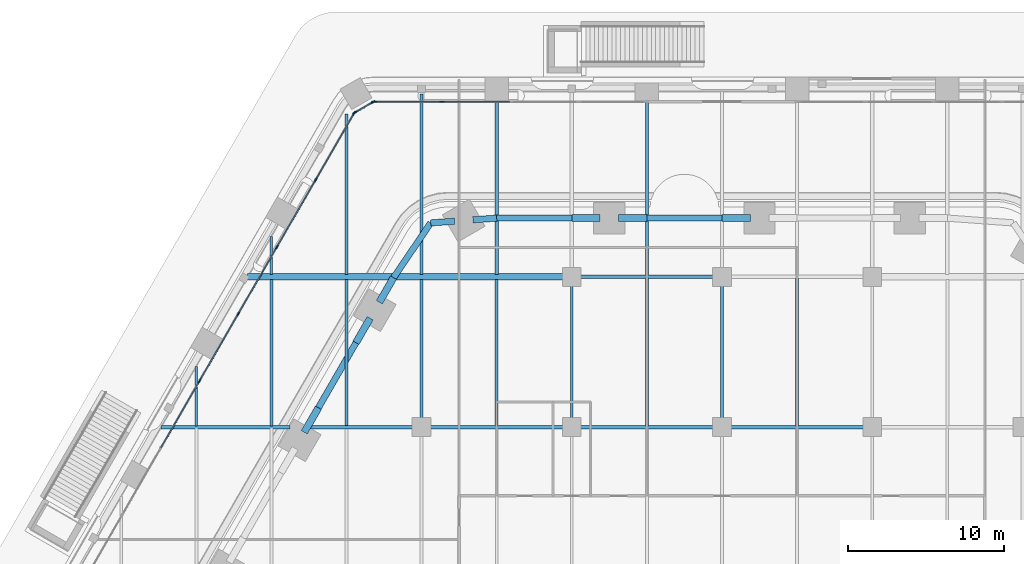
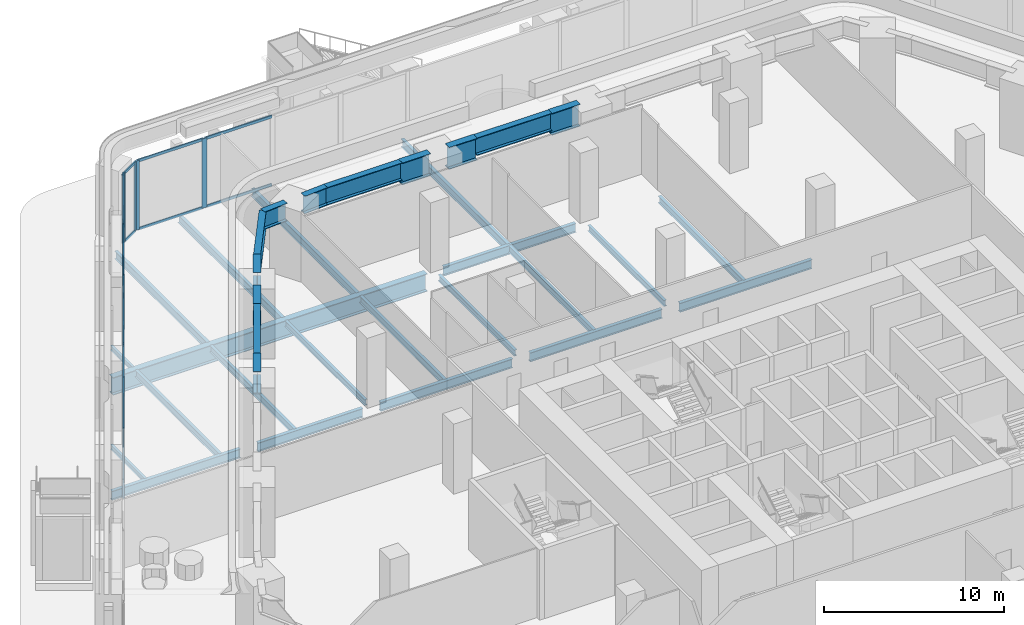
# One storey, part 8 of 34: 33 beams, 25 members, 3 elements without a shape of their own.
"""IFC4 building model written with IfcOpenShell, lengths in metres."""

import ifcopenshell
import ifcopenshell.guid

model = None  # the IFC model being written
_history = None  # IfcOwnerHistory: only IFC2X3 demands one
_inside = {}  # id of a spatial element -> (the spatial element, [elements in it])
_under = {}  # id of a project, library or spatial element -> (it, [spatial elements below it])
_declared = {}  # id of a project -> (the project, [libraries it declares])
_typed = {}  # id of a type object -> (the type object, [elements of that type])
_made_of = {}  # id of a material, layer set ... -> (it, [elements and type objects made of it])


def new_model(schema):
    """Start an empty IFC model of exactly this schema.

    Asked for "IFC4X3", IfcOpenShell would pick the latest addendum, in which some entities
    have other attributes; the version numbers below select the first issue.
    IFC2X3 requires an IfcOwnerHistory on every rooted entity: one is made here for all.
    """
    global model, _history
    if schema == "IFC4X3":
        model = ifcopenshell.file(schema_version=(4, 3, 0, 0))
    else:
        model = ifcopenshell.file(schema=schema)
    _inside.clear()
    _under.clear()
    _declared.clear()
    _typed.clear()
    _made_of.clear()
    _history = None
    if model.schema == "IFC2X3":
        org = make("IfcOrganization", Name="unknown")
        user = make(
            "IfcPersonAndOrganization",
            ThePerson=make("IfcPerson", FamilyName="unknown"),
            TheOrganization=org,
        )
        app = make(
            "IfcApplication",
            ApplicationDeveloper=org,
            Version="unknown",
            ApplicationFullName="unknown",
            ApplicationIdentifier="unknown",
        )
        _history = make(
            "IfcOwnerHistory",
            OwningUser=user,
            OwningApplication=app,
            ChangeAction="ADDED",
            CreationDate=0,
        )
    return model


def make(cls, **values):
    """One entity of the class cls with the attributes given. An attribute that is None is left unset."""
    return model.create_entity(
        cls, **{name: value for name, value in values.items() if value is not None}
    )


def rooted(cls, **values):
    """An entity with a GlobalId (a new one), such as an element, a storey or a relation."""
    return make(cls, GlobalId=ifcopenshell.guid.new(), OwnerHistory=_history, **values)


def si_unit(unit_type, name, prefix=None):
    """IfcSIUnit, for example si_unit("LENGTHUNIT", "METRE", prefix="MILLI")."""
    return make("IfcSIUnit", UnitType=unit_type, Prefix=prefix, Name=name)


def assignment(units):
    """IfcUnitAssignment: the units of a project."""
    return None if units is None else make("IfcUnitAssignment", Units=units)


def point(xyz):
    """IfcCartesianPoint."""
    return None if xyz is None else make("IfcCartesianPoint", Coordinates=xyz)


def direction(xyz):
    """IfcDirection."""
    return None if xyz is None else make("IfcDirection", DirectionRatios=xyz)


def frame(location, z_axis=None, x_axis=None):
    """IfcAxis2Placement3D, a coordinate frame: its origin and axes. An axis left out is left unset."""
    return make(
        "IfcAxis2Placement3D",
        Location=point(location),
        Axis=direction(z_axis),
        RefDirection=direction(x_axis),
    )


def frame_2d(location, x_axis=None):
    """IfcAxis2Placement2D, a coordinate frame in the plane: its origin and x axis."""
    return make(
        "IfcAxis2Placement2D", Location=point(location), RefDirection=direction(x_axis)
    )


def origin():
    """The frame at (0, 0, 0) with its axes left unset."""
    return frame((0.0, 0.0, 0.0))


def origin_2d():
    """The frame at (0, 0) in the plane with its x axis left unset."""
    return frame_2d((0.0, 0.0))


def place(relative_to, where):
    """IfcLocalPlacement: puts the frame where relative to a parent placement (None: the world)."""
    return make(
        "IfcLocalPlacement", PlacementRelTo=relative_to, RelativePlacement=where
    )


def context(
    kind, dimensions, precision=None, world=None, true_north=None, identifier=None
):
    """IfcGeometricRepresentationContext, for example the 3D "Model" context."""
    return make(
        "IfcGeometricRepresentationContext",
        ContextIdentifier=identifier,
        ContextType=kind,
        CoordinateSpaceDimension=dimensions,
        Precision=precision,
        WorldCoordinateSystem=world,
        TrueNorth=true_north,
    )


def subcontext(parent, identifier, kind, view, scale=None):
    """IfcGeometricRepresentationSubContext, for example "Body" below "Model"."""
    return make(
        "IfcGeometricRepresentationSubContext",
        ContextIdentifier=identifier,
        ContextType=kind,
        ParentContext=parent,
        TargetScale=scale,
        TargetView=view,
    )


def project(units=None, contexts=None):
    """IfcProject with its units and contexts."""
    return rooted(
        "IfcProject",
        Name="project",
        RepresentationContexts=contexts,
        UnitsInContext=assignment(units),
    )


def spatial(cls, under=None, at=None, **own):
    """A site, building, storey or space (cls), placed at a placement, below another one or the project."""
    s = rooted(cls, ObjectPlacement=at, **own)
    if under is not None:
        _under.setdefault(under.id(), (under, []))[1].append(s)
    return s


def profile(cls, at=None, kind="AREA", **sizes):
    """A parametric profile (cls). Its sizes go by their IFC names, for example OverallWidth=200.0."""
    return make(cls, ProfileType=kind, Position=at, **sizes)


def rectangle(**sizes):
    """IfcRectangleProfileDef."""
    return profile("IfcRectangleProfileDef", **sizes)


def i_section(**sizes):
    """IfcIShapeProfileDef."""
    return profile("IfcIShapeProfileDef", **sizes)


def extrude(swept, where, along, depth):
    """IfcExtrudedAreaSolid: the profile swept, set in the frame where, extruded along a direction by depth."""
    return make(
        "IfcExtrudedAreaSolid",
        SweptArea=swept,
        Position=where,
        ExtrudedDirection=direction(along),
        Depth=depth,
    )


def shape(context_of_items, identifier, shape_type, items):
    """IfcShapeRepresentation: the items that make up one representation, for example the "Body"."""
    return make(
        "IfcShapeRepresentation",
        ContextOfItems=context_of_items,
        RepresentationIdentifier=identifier,
        RepresentationType=shape_type,
        Items=items,
    )


def material(Name=None, Category=None):
    """IfcMaterial."""
    return make("IfcMaterial", Name=Name, Category=Category)


def material_profile(
    of_material, cross_section, Name=None, Category=None, Priority=None
):
    """IfcMaterialProfile: a cross section and its material."""
    return make(
        "IfcMaterialProfile",
        Name=Name,
        Material=of_material,
        Profile=cross_section,
        Priority=Priority,
        Category=Category,
    )


def profile_set(profiles, Name=None, composite=None):
    """IfcMaterialProfileSet."""
    return make(
        "IfcMaterialProfileSet",
        Name=Name,
        MaterialProfiles=profiles,
        CompositeProfile=composite,
    )


def made_of(thing, what):
    """Note that an element or type object is made of a material, layer set ...; save() writes the relation."""
    if what is not None:
        _made_of.setdefault(what.id(), (what, []))[1].append(thing)
    return thing


def type_object(cls, material=None, **own):
    """A type object (cls), such as IfcWallType, which elements share."""
    return made_of(rooted(cls, **own), material)


def element(
    cls,
    number,
    at=None,
    inside=None,
    cuts=None,
    type_object=None,
    material=None,
    context=None,
    identifier="Body",
    shape_type=None,
    held_by="IfcProductDefinitionShape",
    body=None,
    shapes=None,
    **own,
):
    """One element of the class cls, such as IfcWall. Its Tag is "e" and its number.

    at: its placement. inside: the storey or other place that contains it. cuts: it is an
    opening in that element (IfcRelVoidsElement). A single representation is given by context,
    identifier, shape_type and body (its items); several are given by shapes. held_by: the class
    of the entity that holds the representations. save() writes the other relations.
    """
    e = rooted(cls, Tag="e%d" % number, ObjectPlacement=at, **own)
    if body is not None:
        shapes = [shape(context, identifier, shape_type, body)]
    if shapes is not None:
        e.Representation = make(held_by, Representations=shapes)
    if inside is not None:
        _inside.setdefault(inside.id(), (inside, []))[1].append(e)
    if cuts is not None:
        rooted(
            "IfcRelVoidsElement", RelatingBuildingElement=cuts, RelatedOpeningElement=e
        )
    if type_object is not None:
        _typed.setdefault(type_object.id(), (type_object, []))[1].append(e)
    return made_of(e, material)


def aggregate(whole, parts):
    """IfcRelAggregates: a whole, such as a stair, and the parts it consists of."""
    return rooted("IfcRelAggregates", RelatingObject=whole, RelatedObjects=parts)


def save(model, path):
    """Write the relations noted so far, then the file.

    IfcRelAggregates (storeys below a building ...), IfcRelContainedInSpatialStructure (elements
    in a storey), IfcRelDefinesByType, IfcRelAssociatesMaterial and IfcRelDeclares: one each for
    every whole, place, type object, material and project.
    """
    for whole, parts in _under.values():
        aggregate(whole, parts)
    for where, things in _inside.values():
        rooted(
            "IfcRelContainedInSpatialStructure",
            RelatedElements=things,
            RelatingStructure=where,
        )
    for kind, things in _typed.values():
        rooted("IfcRelDefinesByType", RelatedObjects=things, RelatingType=kind)
    for what, things in _made_of.values():
        rooted("IfcRelAssociatesMaterial", RelatedObjects=things, RelatingMaterial=what)
    for by, libraries in _declared.values():
        rooted("IfcRelDeclares", RelatingContext=by, RelatedDefinitions=libraries)
    model.write(path)


model = new_model("IFC4")

# Units and contexts
model_context = context("Model", 3, precision=1e-05, world=origin(), true_north=direction((0.0, 1.0)))
body_context = subcontext(model_context, "Body", "Model", "MODEL_VIEW")
ifc_project = project(units=[si_unit("LENGTHUNIT", "METRE"), si_unit("AREAUNIT", "SQUARE_METRE"), si_unit("VOLUMEUNIT", "CUBIC_METRE"), si_unit("PLANEANGLEUNIT", "RADIAN"), si_unit("MASSUNIT", "GRAM", prefix="KILO")], contexts=[model_context])

# Site, building, storey
site_placement = place(None, origin())
site = spatial("IfcSite", under=ifc_project, at=site_placement, CompositionType="ELEMENT")
building_placement = place(site_placement, origin())
building = spatial("IfcBuilding", under=site, at=building_placement, Name="Kolab Exchange Tower", CompositionType="ELEMENT")
storey_placement = place(building_placement, frame((0.0, 0.0, 12.39990234375)))
storey = spatial("IfcBuildingStorey", under=building, at=storey_placement, Name="L02", CompositionType="ELEMENT", Elevation=12.39990234375)

# Beams
ifc_material_1 = material(Name="Steel S355", Category="steel")
ifc_material_profile_1 = material_profile(ifc_material_1, i_section(OverallWidth=0.1650390625, OverallDepth=0.31005859375, WebThickness=0.005859375, FlangeThickness=0.009765625, at=origin_2d()), Name="W310X39")
ifc_profile_set_1 = profile_set([ifc_material_profile_1], Name="Steel S355")
beam_type_1 = type_object("IfcBeamType", Name="FLOOR BEAM W310X39", PredefinedType="BEAM", material=ifc_profile_set_1)
beam_1_placement = place(storey_placement, frame((-33.60009765625, 19.27392578125, -0.454833984375), z_axis=(0.0, 1.0, 0.0), x_axis=(-1.0, 0.0, 0.0)))
element("IfcBeam", 1, at=beam_1_placement, inside=storey, type_object=beam_type_1, Name="beam/L02/fr/012", PredefinedType="BEAM", context=body_context, shape_type="SweptSolid", body=[
    extrude(i_section(OverallWidth=0.1650390625, OverallDepth=0.31005859375, WebThickness=0.005859375, FlangeThickness=0.009765625, at=origin_2d()), origin(), (0.0, 0.0, 1.0), 3.8076171875),
])
beam_2_placement = place(storey_placement, frame((-28.800048828125, 28.9599609375, -0.454833984375), z_axis=(0.0, 1.0, 0.0), x_axis=(-1.0, 0.0, 0.0)))
element("IfcBeam", 2, at=beam_2_placement, inside=storey, type_object=beam_type_1, Name="beam/L02/fr/021", PredefinedType="BEAM", context=body_context, shape_type="SweptSolid", body=[
    extrude(i_section(OverallWidth=0.1650390625, OverallDepth=0.31005859375, WebThickness=0.005859375, FlangeThickness=0.009765625, at=origin_2d()), origin(), (0.0, 0.0, 1.0), 2.435546875),
])
ifc_material_profile_2 = material_profile(ifc_material_1, i_section(OverallWidth=0.177978515625, OverallDepth=0.406982421875, WebThickness=0.0078125, FlangeThickness=0.0126953125, at=origin_2d()), Name="W410X60")
ifc_profile_set_2 = profile_set([ifc_material_profile_2], Name="Steel S355")
beam_type_2 = type_object("IfcBeamType", Name="FLOOR BEAM W410X60", PredefinedType="BEAM", material=ifc_profile_set_2)
beam_3_placement = place(storey_placement, frame((-19.199951171875, 19.760009765625, -0.50341796875), z_axis=(0.0, 1.0, 0.0), x_axis=(-1.0, 0.0, 0.0)))
element("IfcBeam", 3, at=beam_3_placement, inside=storey, type_object=beam_type_2, Name="beam/L02/fr/037", PredefinedType="BEAM", context=body_context, shape_type="SweptSolid", body=[
    extrude(i_section(OverallWidth=0.177978515625, OverallDepth=0.406982421875, WebThickness=0.0078125, FlangeThickness=0.0126953125, at=origin_2d()), origin(), (0.0, 0.0, 1.0), 8.8798828125),
])
for number, where, z_axis, x_axis, name in (
    (4, (-9.60009765625, 19.760009765625, -0.50341796875), (0.0, 1.0, 0.0), (-1.0, 0.0, 0.0), "beam/L02/fr/051"),
    (5, (0.0, 19.760009765625, -0.50341796875), (0.0, 1.0, 0.0), (-1.0, 0.0, 0.0), "beam/L02/fr/065"),
):
    element("IfcBeam", number, at=place(storey_placement, frame(where, z_axis=z_axis, x_axis=x_axis)), inside=storey, type_object=beam_type_2, Name=name, PredefinedType="BEAM", context=body_context, shape_type="SweptSolid", body=[
        extrude(i_section(OverallWidth=0.177978515625, OverallDepth=0.406982421875, WebThickness=0.0078125, FlangeThickness=0.0126953125, at=origin_2d()), origin(), (0.0, 0.0, 1.0), 8.47998046875),
    ])
ifc_material_profile_3 = material_profile(ifc_material_1, i_section(OverallWidth=0.18994140625, OverallDepth=0.45703125, WebThickness=0.009033203125, FlangeThickness=0.014404296875, at=origin_2d()), Name="W460X74")
ifc_profile_set_3 = profile_set([ifc_material_profile_3], Name="Steel S355")
beam_type_3 = type_object("IfcBeamType", Name="FLOOR BEAM W460X74", PredefinedType="BEAM", material=ifc_profile_set_3)
for number, where, z_axis, x_axis, name in (
    (6, (-28.800048828125, 19.27392578125, -0.5283203125), (0.0, 1.0, 0.0), (-1.0, 0.0, 0.0), "beam/L02/fr/020"),
    (7, (-24.0, 19.27392578125, -0.5283203125), (0.0, 1.0, 0.0), (-1.0, 0.0, 0.0), "beam/L02/fr/029"),
    (8, (-14.39990234375, 19.27392578125, -0.5283203125), (0.0, 1.0, 0.0), (-1.0, 0.0, 0.0), "beam/L02/fr/044"),
):
    element("IfcBeam", number, at=place(storey_placement, frame(where, z_axis=z_axis, x_axis=x_axis)), inside=storey, type_object=beam_type_3, Name=name, PredefinedType="BEAM", context=body_context, shape_type="SweptSolid", body=[
        extrude(i_section(OverallWidth=0.18994140625, OverallDepth=0.45703125, WebThickness=0.009033203125, FlangeThickness=0.014404296875, at=origin_2d()), origin(), (0.0, 0.0, 1.0), 9.365966796875),
    ])
for number, where, z_axis, x_axis, name in (
    (9, (-4.800048828125, 19.27392578125, -0.5283203125), (0.0, 1.0, 0.0), (-1.0, 0.0, 0.0), "beam/L02/fr/058"),
    (10, (4.800048828125, 19.27392578125, -0.5283203125), (0.0, 1.0, 0.0), (-1.0, 0.0, 0.0), "beam/L02/fr/072"),
):
    element("IfcBeam", number, at=place(storey_placement, frame(where, z_axis=z_axis, x_axis=x_axis)), inside=storey, type_object=beam_type_3, Name=name, PredefinedType="BEAM", context=body_context, shape_type="SweptSolid", body=[
        extrude(i_section(OverallWidth=0.18994140625, OverallDepth=0.45703125, WebThickness=0.009033203125, FlangeThickness=0.014404296875, at=origin_2d()), origin(), (0.0, 0.0, 1.0), 9.4521484375),
    ])
ifc_material_profile_4 = material_profile(ifc_material_1, i_section(OverallWidth=0.208984375, OverallDepth=0.532958984375, WebThickness=0.01025390625, FlangeThickness=0.015625, at=origin_2d()), Name="W530X92")
ifc_profile_set_4 = profile_set([ifc_material_profile_4], Name="Steel S355")
beam_type_4 = type_object("IfcBeamType", Name="FLOOR BEAM W530X92", PredefinedType="BEAM", material=ifc_profile_set_4)
beam_4_placement = place(storey_placement, frame((-24.0, 28.9599609375, -0.56640625), z_axis=(0.0, 1.0, 0.0), x_axis=(-1.0, 0.0, 0.0)))
element("IfcBeam", 11, at=beam_4_placement, inside=storey, type_object=beam_type_4, Name="beam/L02/fr/030", PredefinedType="BEAM", context=body_context, shape_type="SweptSolid", body=[
    extrude(i_section(OverallWidth=0.208984375, OverallDepth=0.532958984375, WebThickness=0.01025390625, FlangeThickness=0.015625, at=origin_2d()), origin(), (0.0, 0.0, 1.0), 10.2451171875),
])
beam_5_placement = place(storey_placement, frame((-19.199951171875, 28.9599609375, -0.56640625), z_axis=(0.0, 1.0, 0.0), x_axis=(-1.0, 0.0, 0.0)))
element("IfcBeam", 12, at=beam_5_placement, inside=storey, type_object=beam_type_4, Name="beam/L02/fr/038", PredefinedType="BEAM", context=body_context, shape_type="SweptSolid", body=[
    extrude(i_section(OverallWidth=0.208984375, OverallDepth=0.532958984375, WebThickness=0.01025390625, FlangeThickness=0.015625, at=origin_2d()), origin(), (0.0, 0.0, 1.0), 11.538330078125),
])
beam_6_placement = place(storey_placement, frame((-14.39990234375, 28.9599609375, -0.56640625), z_axis=(0.0, 1.0, 0.0), x_axis=(-1.0, 0.0, 0.0)))
element("IfcBeam", 13, at=beam_6_placement, inside=storey, type_object=beam_type_4, Name="beam/L02/fr/045", PredefinedType="BEAM", context=body_context, shape_type="SweptSolid", body=[
    extrude(i_section(OverallWidth=0.208984375, OverallDepth=0.532958984375, WebThickness=0.01025390625, FlangeThickness=0.015625, at=origin_2d()), origin(), (0.0, 0.0, 1.0), 11.69921875),
])
beam_7_placement = place(storey_placement, frame((-4.800048828125, 28.8740234375, -0.56640625), z_axis=(0.0, 1.0, 0.0), x_axis=(-1.0, 0.0, 0.0)))
element("IfcBeam", 14, at=beam_7_placement, inside=storey, type_object=beam_type_4, Name="beam/L02/fr/059", PredefinedType="BEAM", context=body_context, shape_type="SweptSolid", body=[
    extrude(i_section(OverallWidth=0.208984375, OverallDepth=0.532958984375, WebThickness=0.01025390625, FlangeThickness=0.015625, at=origin_2d()), origin(), (0.0, 0.0, 1.0), 11.78515625),
])
ifc_material_profile_5 = material_profile(ifc_material_1, i_section(OverallWidth=0.39990234375, OverallDepth=1.199951171875, WebThickness=0.02490234375, FlangeThickness=0.0400390625, at=origin_2d()), Name="PG1200X400")
ifc_profile_set_5 = profile_set([ifc_material_profile_5], Name="Steel S355")
beam_type_5 = type_object("IfcBeamType", Name="FLOOR GIRDER PG1200X400", PredefinedType="BEAM", material=ifc_profile_set_5)
beam_8_placement = place(storey_placement, frame((-30.315185546875, 28.800048828125, -0.89990234375), z_axis=(1.0, 0.0, 0.0), x_axis=(0.0, 1.0, 0.0)))
element("IfcBeam", 15, at=beam_8_placement, inside=storey, type_object=beam_type_5, Name="beam/L02/gd/009", PredefinedType="BEAM", context=body_context, shape_type="SweptSolid", body=[
    extrude(i_section(OverallWidth=0.39990234375, OverallDepth=1.199951171875, WebThickness=0.02490234375, FlangeThickness=0.0400390625, at=origin_2d()), origin(), (0.0, 0.0, 1.0), 20.1552734375),
])
ifc_material_profile_6 = material_profile(ifc_material_1, i_section(OverallWidth=0.22802734375, OverallDepth=0.60791015625, WebThickness=0.01123046875, FlangeThickness=0.017333984375, at=origin_2d()), Name="W610X113")
ifc_profile_set_6 = profile_set([ifc_material_profile_6], Name="Steel S355")
beam_type_6 = type_object("IfcBeamType", Name="FLOOR GIRDER W610X113", PredefinedType="BEAM", material=ifc_profile_set_6)
beam_9_placement = place(storey_placement, frame((-35.85791015625, 19.199951171875, -0.60400390625), z_axis=(1.0, 0.0, 0.0), x_axis=(0.0, 1.0, 0.0)))
element("IfcBeam", 16, at=beam_9_placement, inside=storey, type_object=beam_type_6, Name="beam/L02/gd/006", PredefinedType="BEAM", context=body_context, shape_type="SweptSolid", body=[
    extrude(i_section(OverallWidth=0.22802734375, OverallDepth=0.60791015625, WebThickness=0.01123046875, FlangeThickness=0.017333984375, at=origin_2d()), origin(), (0.0, 0.0, 1.0), 8.236572265625),
])
beam_10_placement = place(storey_placement, frame((-26.495361328125, 19.199951171875, -0.60400390625), z_axis=(1.0, 0.0, 0.0), x_axis=(0.0, 1.0, 0.0)))
element("IfcBeam", 17, at=beam_10_placement, inside=storey, type_object=beam_type_6, Name="beam/L02/gd/013", PredefinedType="BEAM", context=body_context, shape_type="SweptSolid", body=[
    extrude(i_section(OverallWidth=0.22802734375, OverallDepth=0.60791015625, WebThickness=0.01123046875, FlangeThickness=0.017333984375, at=origin_2d()), origin(), (0.0, 0.0, 1.0), 6.7353515625),
])
for number, where, z_axis, x_axis, name in (
    (18, (-18.639892578125, 19.199951171875, -0.60400390625), (1.0, 0.0, 0.0), (0.0, 1.0, 0.0), "beam/L02/gd/017"),
    (19, (-9.0400390625, 19.199951171875, -0.60400390625), (1.0, 0.0, 0.0), (0.0, 1.0, 0.0), "beam/L02/gd/021"),
    (20, (-9.0400390625, 28.800048828125, -0.60400390625), (1.0, 0.0, 0.0), (0.0, 1.0, 0.0), "beam/L02/gd/022"),
    (21, (0.56005859375, 19.199951171875, -0.60400390625), (1.0, 0.0, 0.0), (0.0, 1.0, 0.0), "beam/L02/gd/025"),
):
    element("IfcBeam", number, at=place(storey_placement, frame(where, z_axis=z_axis, x_axis=x_axis)), inside=storey, type_object=beam_type_6, Name=name, PredefinedType="BEAM", context=body_context, shape_type="SweptSolid", body=[
        extrude(i_section(OverallWidth=0.22802734375, OverallDepth=0.60791015625, WebThickness=0.01123046875, FlangeThickness=0.017333984375, at=origin_2d()), origin(), (0.0, 0.0, 1.0), 8.47998046875),
    ])

# Curtain wall, members
ifc_material_2 = material(Name="Aluminium EN AW-6063 T6", Category="aluminium")
curtain_wall_type = type_object("IfcCurtainWallType", Name="PODIUM STRUCTURAL GLAZING CURTAIN WALL", PredefinedType="NOTDEFINED", material=ifc_material_2)
curtain_wall_1_placement = place(storey_placement, origin())
curtain_wall_1 = element("IfcCurtainWall", 22, at=curtain_wall_1_placement, inside=storey, type_object=curtain_wall_type, Name="cw/L02/F1-1", PredefinedType="NOTDEFINED")
ifc_material_profile_7 = material_profile(ifc_material_2, rectangle(XDim=0.080078125, YDim=0.300048828125, at=origin_2d()), Name="RECT 80X300")
ifc_profile_set_7 = profile_set([ifc_material_profile_7], Name="Aluminium EN AW-6063 T6")
member_type_1 = type_object("IfcMemberType", Name="PODIUM STRUCTURAL GLAZING MULLION 80 X 300", PredefinedType="MULLION", material=ifc_profile_set_7)
member_1_placement = place(storey_placement, frame((-22.22802734375, 39.9892578125, 0.0), z_axis=(0.0, 0.0, 1.0), x_axis=(0.0, 1.0, 0.0)))
member_1 = element("IfcMember", 23, at=member_1_placement, type_object=member_type_1, Name="CW5 mullion 1", PredefinedType="MULLION", context=body_context, shape_type="SweptSolid", body=[
    extrude(rectangle(XDim=0.080078125, YDim=0.300048828125, at=origin_2d()), origin(), (0.0, 0.0, 1.0), 4.7001953125),
])
member_2_placement = place(storey_placement, frame((-17.90087890625, 39.9892578125, 0.0), z_axis=(0.0, 0.0, 1.0), x_axis=(0.0, 1.0, 0.0)))
member_2 = element("IfcMember", 24, at=member_2_placement, type_object=member_type_1, Name="CW5 mullion 2", PredefinedType="MULLION", context=body_context, shape_type="SweptSolid", body=[
    extrude(rectangle(XDim=0.080078125, YDim=0.300048828125, at=origin_2d()), origin(), (0.0, 0.0, 1.0), 4.7001953125),
])

curtain_wall_2_placement = place(storey_placement, origin())
curtain_wall_2 = element("IfcCurtainWall", 25, at=curtain_wall_2_placement, inside=storey, type_object=curtain_wall_type, Name="cw/L02/F6-1", PredefinedType="NOTDEFINED")
member_3_placement = place(storey_placement, frame((-33.39453125, 22.137451171875, 0.0), z_axis=(0.0, 0.0, 1.0), x_axis=(-0.866025403514, 0.500000000469, 0.0)))
member_3 = element("IfcMember", 26, at=member_3_placement, type_object=member_type_1, Name="CW5 mullion 6", PredefinedType="MULLION", context=body_context, shape_type="SweptSolid", body=[
    extrude(rectangle(XDim=0.080078125, YDim=0.300048828125, at=origin_2d()), origin(), (0.0, 0.0, 1.0), 4.7001953125),
])
member_4_placement = place(storey_placement, frame((-30.92041015625, 26.4228515625, 0.0), z_axis=(0.0, 0.0, 1.0), x_axis=(-0.866025403514, 0.500000000469, 0.0)))
member_4 = element("IfcMember", 27, at=member_4_placement, type_object=member_type_1, Name="CW5 mullion 7", PredefinedType="MULLION", context=body_context, shape_type="SweptSolid", body=[
    extrude(rectangle(XDim=0.080078125, YDim=0.300048828125, at=origin_2d()), origin(), (0.0, 0.0, 1.0), 4.7001953125),
])
member_5_placement = place(storey_placement, frame((-28.446044921875, 30.708251953125, 0.0), z_axis=(0.0, 0.0, 1.0), x_axis=(-0.866025403514, 0.500000000469, 0.0)))
member_5 = element("IfcMember", 28, at=member_5_placement, type_object=member_type_1, Name="CW5 mullion 8", PredefinedType="MULLION", context=body_context, shape_type="SweptSolid", body=[
    extrude(rectangle(XDim=0.080078125, YDim=0.300048828125, at=origin_2d()), origin(), (0.0, 0.0, 1.0), 4.7001953125),
])
member_6_placement = place(storey_placement, frame((-25.971923828125, 34.99365234375, 0.0), z_axis=(0.0, 0.0, 1.0), x_axis=(-0.866025403514, 0.500000000469, 0.0)))
member_6 = element("IfcMember", 29, at=member_6_placement, type_object=member_type_1, Name="CW5 mullion 9", PredefinedType="MULLION", context=body_context, shape_type="SweptSolid", body=[
    extrude(rectangle(XDim=0.080078125, YDim=0.300048828125, at=origin_2d()), origin(), (0.0, 0.0, 1.0), 4.7001953125),
])
member_7_placement = place(storey_placement, frame((-23.517822265625, 39.24462890625, 0.0), z_axis=(0.0, 0.0, 1.0), x_axis=(-0.866025403514, 0.500000000469, 0.0)))
member_7 = element("IfcMember", 30, at=member_7_placement, type_object=member_type_1, Name="CW5 mullion 10", PredefinedType="MULLION", context=body_context, shape_type="SweptSolid", body=[
    extrude(rectangle(XDim=0.080078125, YDim=0.300048828125, at=origin_2d()), origin(), (0.0, 0.0, 1.0), 4.7001953125),
])

curtain_wall_3_placement = place(storey_placement, origin())
curtain_wall_3 = element("IfcCurtainWall", 31, at=curtain_wall_3_placement, inside=storey, type_object=curtain_wall_type, Name="cw/L02/F6F1-corner", PredefinedType="NOTDEFINED")
member_8_placement = place(storey_placement, frame((-23.463134765625, 39.29931640625, 0.0), z_axis=(0.0, 0.0, 1.0), x_axis=(-0.50000002237, 0.866025390869, 0.0)))
member_8 = element("IfcMember", 32, at=member_8_placement, type_object=member_type_1, Name="CW5 mullion 1", PredefinedType="MULLION", context=body_context, shape_type="SweptSolid", body=[
    extrude(rectangle(XDim=0.080078125, YDim=0.300048828125, at=origin_2d()), origin(), (0.0, 0.0, 1.0), 4.7001953125),
])
member_9_placement = place(storey_placement, frame((-22.302490234375, 39.96923828125, 0.0), z_axis=(0.0, 0.0, 1.0), x_axis=(-0.50000002237, 0.866025390869, 0.0)))
member_9 = element("IfcMember", 33, at=member_9_placement, type_object=member_type_1, Name="CW5 mullion 2", PredefinedType="MULLION", context=body_context, shape_type="SweptSolid", body=[
    extrude(rectangle(XDim=0.080078125, YDim=0.300048828125, at=origin_2d()), origin(), (0.0, 0.0, 1.0), 4.7001953125),
])

# Member
ifc_material_profile_8 = material_profile(ifc_material_2, rectangle(XDim=0.080078125, YDim=0.179931640625, at=origin_2d()), Name="RECT 80X180")
ifc_profile_set_8 = profile_set([ifc_material_profile_8], Name="Aluminium EN AW-6063 T6")
member_type_2 = type_object("IfcMemberType", Name="PODIUM STRUCTURAL GLAZING TRANSOM 80 X 180", PredefinedType="USERDEFINED", material=ifc_profile_set_8)
member_10_placement = place(storey_placement, frame((-22.18798828125, 39.9892578125, 0.0400390625), z_axis=(1.0, 0.0, 0.0), x_axis=(0.0, 1.0, 0.0)))
member_10 = element("IfcMember", 34, at=member_10_placement, type_object=member_type_2, Name="CW5 transom 1.1", ObjectType="TRANSOM", PredefinedType="USERDEFINED", context=body_context, shape_type="SweptSolid", body=[
    extrude(rectangle(XDim=0.080078125, YDim=0.179931640625, at=origin_2d()), origin(), (0.0, 0.0, 1.0), 4.2470703125),
])

member_11_placement = place(storey_placement, frame((-22.18798828125, 39.9892578125, 4.66015625), z_axis=(1.0, 0.0, 0.0), x_axis=(0.0, 1.0, 0.0)))
member_11 = element("IfcMember", 35, at=member_11_placement, type_object=member_type_2, Name="CW5 transom 1.2", ObjectType="TRANSOM", PredefinedType="USERDEFINED", context=body_context, shape_type="SweptSolid", body=[
    extrude(rectangle(XDim=0.080078125, YDim=0.179931640625, at=origin_2d()), origin(), (0.0, 0.0, 1.0), 4.2470703125),
])

member_12_placement = place(storey_placement, frame((-17.86083984375, 39.9892578125, 0.0400390625), z_axis=(1.0, 0.0, 0.0), x_axis=(0.0, 1.0, 0.0)))
member_12 = element("IfcMember", 36, at=member_12_placement, type_object=member_type_2, Name="CW5 transom 2.1", ObjectType="TRANSOM", PredefinedType="USERDEFINED", context=body_context, shape_type="SweptSolid", body=[
    extrude(rectangle(XDim=0.080078125, YDim=0.179931640625, at=origin_2d()), origin(), (0.0, 0.0, 1.0), 4.286865234375),
])

member_13_placement = place(storey_placement, frame((-17.86083984375, 39.9892578125, 4.66015625), z_axis=(1.0, 0.0, 0.0), x_axis=(0.0, 1.0, 0.0)))
member_13 = element("IfcMember", 37, at=member_13_placement, type_object=member_type_2, Name="CW5 transom 2.2", ObjectType="TRANSOM", PredefinedType="USERDEFINED", context=body_context, shape_type="SweptSolid", body=[
    extrude(rectangle(XDim=0.080078125, YDim=0.179931640625, at=origin_2d()), origin(), (0.0, 0.0, 1.0), 4.286865234375),
])

aggregate(curtain_wall_1, [member_1, member_2, member_10, member_11, member_12, member_13])

member_14_placement = place(storey_placement, frame((-35.848876953125, 17.886474609375, 0.0400390625), z_axis=(0.50000604952, 0.866021911064, 0.0), x_axis=(-0.866021911064, 0.50000604952, 0.0)))
member_14 = element("IfcMember", 38, at=member_14_placement, type_object=member_type_2, Name="CW5 transom 5.1", ObjectType="TRANSOM", PredefinedType="USERDEFINED", context=body_context, shape_type="SweptSolid", body=[
    extrude(rectangle(XDim=0.080078125, YDim=0.179931640625, at=origin_2d()), origin(), (0.0, 0.0, 1.0), 4.86865234375),
])

member_15_placement = place(storey_placement, frame((-35.848876953125, 17.886474609375, 4.66015625), z_axis=(0.50000604952, 0.866021911064, 0.0), x_axis=(-0.866021911064, 0.50000604952, 0.0)))
member_15 = element("IfcMember", 39, at=member_15_placement, type_object=member_type_2, Name="CW5 transom 5.2", ObjectType="TRANSOM", PredefinedType="USERDEFINED", context=body_context, shape_type="SweptSolid", body=[
    extrude(rectangle(XDim=0.080078125, YDim=0.179931640625, at=origin_2d()), origin(), (0.0, 0.0, 1.0), 4.86865234375),
])

member_16_placement = place(storey_placement, frame((-33.37451171875, 22.171875, 0.0400390625), z_axis=(0.499968438888, 0.866043624834, 0.0), x_axis=(-0.866043624834, 0.499968438888, 0.0)))
member_16 = element("IfcMember", 40, at=member_16_placement, type_object=member_type_2, Name="CW5 transom 6.1", ObjectType="TRANSOM", PredefinedType="USERDEFINED", context=body_context, shape_type="SweptSolid", body=[
    extrude(rectangle(XDim=0.080078125, YDim=0.179931640625, at=origin_2d()), origin(), (0.0, 0.0, 1.0), 4.868408203125),
])

member_17_placement = place(storey_placement, frame((-33.37451171875, 22.171875, 4.66015625), z_axis=(0.499968438888, 0.866043624834, 0.0), x_axis=(-0.866043624834, 0.499968438888, 0.0)))
member_17 = element("IfcMember", 41, at=member_17_placement, type_object=member_type_2, Name="CW5 transom 6.2", ObjectType="TRANSOM", PredefinedType="USERDEFINED", context=body_context, shape_type="SweptSolid", body=[
    extrude(rectangle(XDim=0.080078125, YDim=0.179931640625, at=origin_2d()), origin(), (0.0, 0.0, 1.0), 4.868408203125),
])

member_18_placement = place(storey_placement, frame((-30.900390625, 26.45751953125, 0.0400390625), z_axis=(0.500027764349, 0.866009373437, 0.0), x_axis=(-0.866009373437, 0.500027764349, 0.0)))
member_18 = element("IfcMember", 42, at=member_18_placement, type_object=member_type_2, Name="CW5 transom 7.1", ObjectType="TRANSOM", PredefinedType="USERDEFINED", context=body_context, shape_type="SweptSolid", body=[
    extrude(rectangle(XDim=0.080078125, YDim=0.179931640625, at=origin_2d()), origin(), (0.0, 0.0, 1.0), 4.868408203125),
])

member_19_placement = place(storey_placement, frame((-30.900390625, 26.45751953125, 4.66015625), z_axis=(0.500027764349, 0.866009373437, 0.0), x_axis=(-0.866009373437, 0.500027764349, 0.0)))
member_19 = element("IfcMember", 43, at=member_19_placement, type_object=member_type_2, Name="CW5 transom 7.2", ObjectType="TRANSOM", PredefinedType="USERDEFINED", context=body_context, shape_type="SweptSolid", body=[
    extrude(rectangle(XDim=0.080078125, YDim=0.179931640625, at=origin_2d()), origin(), (0.0, 0.0, 1.0), 4.868408203125),
])

member_20_placement = place(storey_placement, frame((-28.426025390625, 30.742919921875, 0.0400390625), z_axis=(0.499968438888, 0.866043624834, 0.0), x_axis=(-0.866043624834, 0.499968438888, 0.0)))
member_20 = element("IfcMember", 44, at=member_20_placement, type_object=member_type_2, Name="CW5 transom 8.1", ObjectType="TRANSOM", PredefinedType="USERDEFINED", context=body_context, shape_type="SweptSolid", body=[
    extrude(rectangle(XDim=0.080078125, YDim=0.179931640625, at=origin_2d()), origin(), (0.0, 0.0, 1.0), 4.868408203125),
])

member_21_placement = place(storey_placement, frame((-28.426025390625, 30.742919921875, 4.66015625), z_axis=(0.499968438888, 0.866043624834, 0.0), x_axis=(-0.866043624834, 0.499968438888, 0.0)))
member_21 = element("IfcMember", 45, at=member_21_placement, type_object=member_type_2, Name="CW5 transom 8.2", ObjectType="TRANSOM", PredefinedType="USERDEFINED", context=body_context, shape_type="SweptSolid", body=[
    extrude(rectangle(XDim=0.080078125, YDim=0.179931640625, at=origin_2d()), origin(), (0.0, 0.0, 1.0), 4.868408203125),
])

member_22_placement = place(storey_placement, frame((-25.951904296875, 35.0283203125, 0.0400390625), z_axis=(0.50000548301, 0.866022238144, 0.0), x_axis=(-0.866022238144, 0.50000548301, 0.0)))
member_22 = element("IfcMember", 46, at=member_22_placement, type_object=member_type_2, Name="CW5 transom 9.1", ObjectType="TRANSOM", PredefinedType="USERDEFINED", context=body_context, shape_type="SweptSolid", body=[
    extrude(rectangle(XDim=0.080078125, YDim=0.179931640625, at=origin_2d()), origin(), (0.0, 0.0, 1.0), 4.82861328125),
])

member_23_placement = place(storey_placement, frame((-25.951904296875, 35.0283203125, 4.66015625), z_axis=(0.50000548301, 0.866022238144, 0.0), x_axis=(-0.866022238144, 0.50000548301, 0.0)))
member_23 = element("IfcMember", 47, at=member_23_placement, type_object=member_type_2, Name="CW5 transom 9.2", ObjectType="TRANSOM", PredefinedType="USERDEFINED", context=body_context, shape_type="SweptSolid", body=[
    extrude(rectangle(XDim=0.080078125, YDim=0.179931640625, at=origin_2d()), origin(), (0.0, 0.0, 1.0), 4.82861328125),
])

aggregate(curtain_wall_2, [member_3, member_4, member_5, member_6, member_7, member_14, member_15, member_16, member_17, member_18, member_19, member_20, member_21, member_22, member_23])

member_24_placement = place(storey_placement, frame((-23.428466796875, 39.3193359375, 0.0400390625), z_axis=(0.866088799389, 0.499890179513, 0.0), x_axis=(-0.499890179513, 0.866088799389, 0.0)))
member_24 = element("IfcMember", 48, at=member_24_placement, type_object=member_type_2, Name="CW5 transom 1.1", ObjectType="TRANSOM", PredefinedType="USERDEFINED", context=body_context, shape_type="SweptSolid", body=[
    extrude(rectangle(XDim=0.080078125, YDim=0.179931640625, at=origin_2d()), origin(), (0.0, 0.0, 1.0), 1.260009765625),
])

member_25_placement = place(storey_placement, frame((-23.428466796875, 39.3193359375, 4.66015625), z_axis=(0.866088799389, 0.499890179513, 0.0), x_axis=(-0.499890179513, 0.866088799389, 0.0)))
member_25 = element("IfcMember", 49, at=member_25_placement, type_object=member_type_2, Name="CW5 transom 1.2", ObjectType="TRANSOM", PredefinedType="USERDEFINED", context=body_context, shape_type="SweptSolid", body=[
    extrude(rectangle(XDim=0.080078125, YDim=0.179931640625, at=origin_2d()), origin(), (0.0, 0.0, 1.0), 1.260009765625),
])

aggregate(curtain_wall_3, [member_8, member_9, member_24, member_25])

# Beams
ifc_material_profile_9 = material_profile(ifc_material_1, i_section(OverallWidth=0.39990234375, OverallDepth=1.199951171875, WebThickness=0.02490234375, FlangeThickness=0.0400390625, at=origin_2d()), Name="PG1200X400")
ifc_profile_set_9 = profile_set([ifc_material_profile_9], Name="Steel S355")
beam_type_7 = type_object("IfcBeamType", Name="TRANSFER GIRDER PG1200X400", PredefinedType="BEAM", material=ifc_profile_set_9)
for number, where, z_axis, x_axis, name in (
    (50, (-17.097412109375, 32.3583984375, 4.150146484375), (-0.997341961039, -0.072862972427, 0.0), (0.072862972427, -0.997341961039, 0.0), "beam/L02/tg/T-F1-01"),
    (51, (-15.92041015625, 32.4443359375, 4.150146484375), (0.997341961039, 0.072862972427, 0.0), (-0.072862972427, 0.997341961039, 0.0), "beam/L02/tg/T-F1-02"),
):
    element("IfcBeam", number, at=place(storey_placement, frame(where, z_axis=z_axis, x_axis=x_axis)), inside=storey, type_object=beam_type_7, Name=name, PredefinedType="BEAM", context=body_context, shape_type="SweptSolid", body=[
        extrude(i_section(OverallWidth=0.39990234375, OverallDepth=1.199951171875, WebThickness=0.02490234375, FlangeThickness=0.0400390625, at=origin_2d()), origin(), (0.0, 0.0, 1.0), 1.524658203125),
    ])
beam_11_placement = place(storey_placement, frame((-25.793701171875, 20.4345703125, 4.150146484375), z_axis=(0.499979284789, 0.866037363387, 0.0), x_axis=(-0.866037363387, 0.499979284789, 0.0)))
element("IfcBeam", 52, at=beam_11_placement, inside=storey, type_object=beam_type_7, Name="beam/L02/tg/T-F6-06-F6-07", PredefinedType="BEAM", context=body_context, shape_type="SweptSolid", body=[
    extrude(i_section(OverallWidth=0.39990234375, OverallDepth=1.199951171875, WebThickness=0.02490234375, FlangeThickness=0.0400390625, at=origin_2d()), origin(), (0.0, 0.0, 1.0), 4.800048828125),
])
beam_12_placement = place(storey_placement, frame((-20.993896484375, 28.74853515625, 4.150146484375), z_axis=(0.561793595008, 0.827277436298, 0.0), x_axis=(-0.827277436298, 0.561793595008, 0.0)))
element("IfcBeam", 53, at=beam_12_placement, inside=storey, type_object=beam_type_7, Name="beam/L02/tg/T-F6-08-F1-01", PredefinedType="BEAM", context=body_context, shape_type="SweptSolid", body=[
    extrude(i_section(OverallWidth=0.39990234375, OverallDepth=1.199951171875, WebThickness=0.02490234375, FlangeThickness=0.0400390625, at=origin_2d()), origin(), (0.0, 0.0, 1.0), 4.229248046875),
])
beam_13_placement = place(storey_placement, frame((-14.39990234375, 32.555419921875, 4.150146484375), z_axis=(1.0, 0.0, 0.0), x_axis=(0.0, 1.0, 0.0)))
element("IfcBeam", 54, at=beam_13_placement, inside=storey, type_object=beam_type_7, Name="beam/L02/tg/T-F1-02-F1-03", PredefinedType="BEAM", context=body_context, shape_type="SweptSolid", body=[
    extrude(i_section(OverallWidth=0.39990234375, OverallDepth=1.199951171875, WebThickness=0.02490234375, FlangeThickness=0.0400390625, at=origin_2d()), origin(), (0.0, 0.0, 1.0), 4.7998046875),
])
beam_14_placement = place(storey_placement, frame((-4.800048828125, 32.555419921875, 4.150146484375), z_axis=(1.0, 0.0, 0.0), x_axis=(0.0, 1.0, 0.0)))
element("IfcBeam", 55, at=beam_14_placement, inside=storey, type_object=beam_type_7, Name="beam/L02/tg/T-F1-04-F1-05", PredefinedType="BEAM", context=body_context, shape_type="SweptSolid", body=[
    extrude(i_section(OverallWidth=0.39990234375, OverallDepth=1.199951171875, WebThickness=0.02490234375, FlangeThickness=0.0400390625, at=origin_2d()), origin(), (0.0, 0.0, 1.0), 4.800048828125),
])
ifc_material_profile_10 = material_profile(ifc_material_1, i_section(OverallWidth=0.449951171875, OverallDepth=1.5, WebThickness=0.028076171875, FlangeThickness=0.044921875, at=origin_2d()), Name="PG1500X450")
ifc_profile_set_10 = profile_set([ifc_material_profile_10], Name="Steel S355")
beam_type_8 = type_object("IfcBeamType", Name="TRANSFER GIRDER PG1500X450", PredefinedType="BEAM", material=ifc_profile_set_10)
for number, where, z_axis, x_axis, name in (
    (56, (-26.69873046875, 18.8671875, 4.0), (0.500041607127, 0.866001380566, 0.0), (-0.866001380566, 0.500041607127, 0.0), "beam/L02/tg/T-F6-06"),
    (57, (-22.48876953125, 26.158935546875, 4.0), (-0.500041607127, -0.866001380566, 0.0), (0.866001380566, -0.500041607127, 0.0), "beam/L02/tg/T-F6-07"),
):
    element("IfcBeam", number, at=place(storey_placement, frame(where, z_axis=z_axis, x_axis=x_axis)), inside=storey, type_object=beam_type_8, Name=name, PredefinedType="BEAM", context=body_context, shape_type="SweptSolid", body=[
        extrude(i_section(OverallWidth=0.449951171875, OverallDepth=1.5, WebThickness=0.028076171875, FlangeThickness=0.044921875, at=origin_2d()), origin(), (0.0, 0.0, 1.0), 1.809814453125),
    ])
for number, where, z_axis, x_axis, name in (
    (58, (-21.898681640625, 27.180908203125, 4.0), (0.499882030911, 0.866093502558, 0.0), (-0.866093502558, 0.499882030911, 0.0), "beam/L02/tg/T-F6-08"),
    (59, (-7.7900390625, 32.555419921875, 4.0), (-1.0, 0.0, 0.0), (0.0, -1.0, 0.0), "beam/L02/tg/T-F1-03"),
    (60, (-6.610107421875, 32.555419921875, 4.0), (1.0, 0.0, 0.0), (0.0, 1.0, 0.0), "beam/L02/tg/T-F1-04"),
    (61, (1.81005859375, 32.555419921875, 4.0), (-1.0, 0.0, 0.0), (0.0, -1.0, 0.0), "beam/L02/tg/T-F1-05"),
):
    element("IfcBeam", number, at=place(storey_placement, frame(where, z_axis=z_axis, x_axis=x_axis)), inside=storey, type_object=beam_type_8, Name=name, PredefinedType="BEAM", context=body_context, shape_type="SweptSolid", body=[
        extrude(i_section(OverallWidth=0.449951171875, OverallDepth=1.5, WebThickness=0.028076171875, FlangeThickness=0.044921875, at=origin_2d()), origin(), (0.0, 0.0, 1.0), 1.81005859375),
    ])

save(model, "model.ifc")
